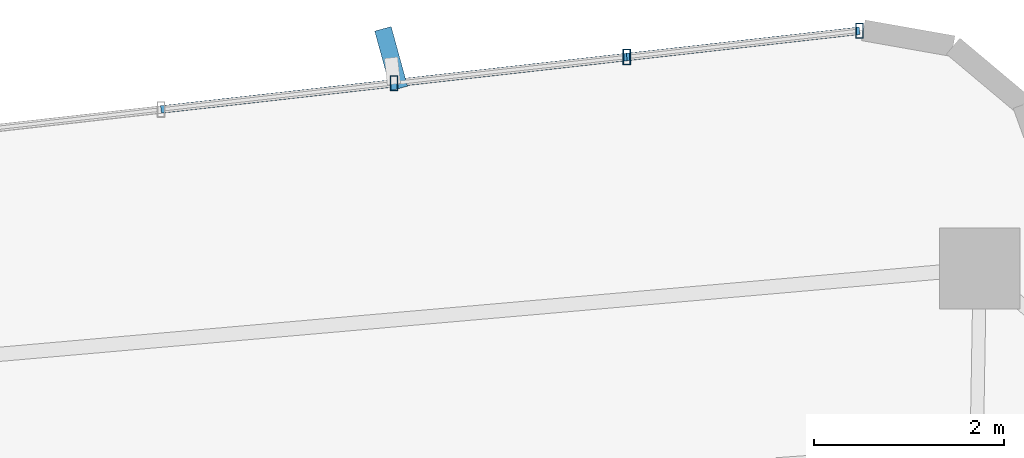
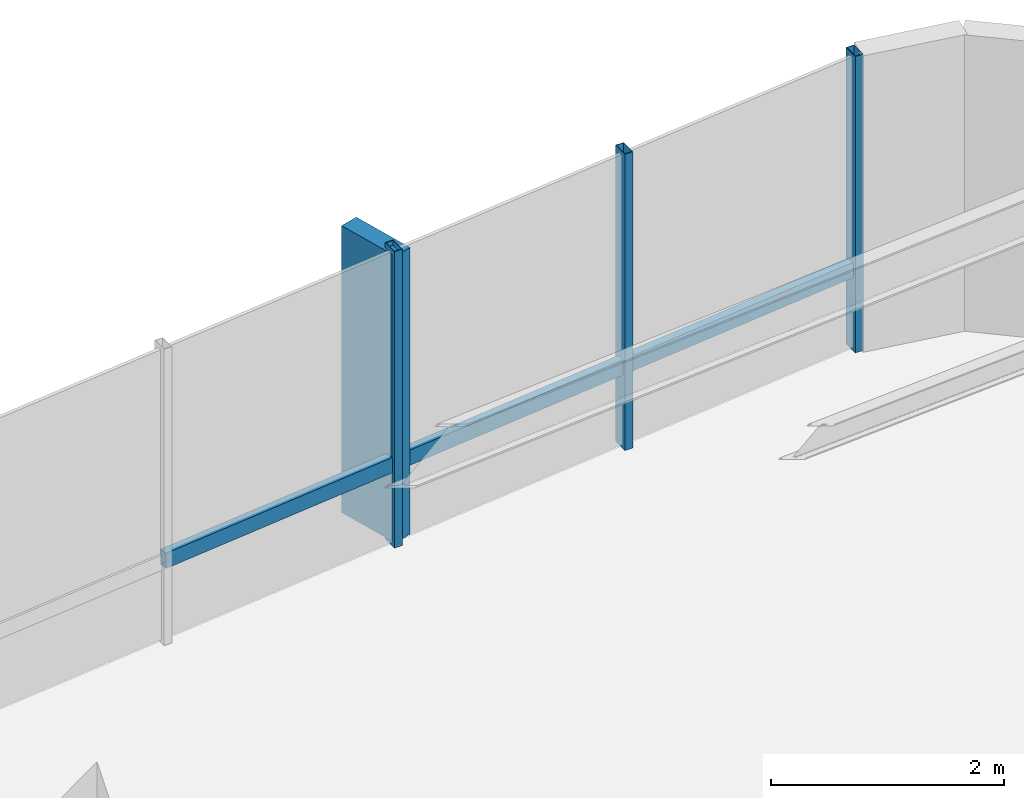
# One storey, part 18 of 24: 7 members, 1 element without a shape of its own.
"""IFC4 building model written with IfcOpenShell, lengths in metres."""

from ifc_helpers import new_model, si_unit, direction, frame, origin, origin_2d, place, context, subcontext, project, spatial, rectangle, hollow_rectangle, extrude, source, transform, mapped, material, material_profile, profile_set, type_object, element, aggregate, save


model = new_model("IFC4")

# Units and contexts
model_context = context("Model", 3, precision=1e-05, world=origin(), true_north=direction((0.0, 1.0)))
body_context = subcontext(model_context, "Body", "Model", "MODEL_VIEW")
ifc_project = project(units=[si_unit("LENGTHUNIT", "METRE"), si_unit("AREAUNIT", "SQUARE_METRE"), si_unit("VOLUMEUNIT", "CUBIC_METRE"), si_unit("PLANEANGLEUNIT", "RADIAN"), si_unit("MASSUNIT", "GRAM", prefix="KILO")], contexts=[model_context])

# Site, building, storey
site_placement = place(None, origin())
site = spatial("IfcSite", under=ifc_project, at=site_placement, CompositionType="ELEMENT")
building_placement = place(site_placement, origin())
building = spatial("IfcBuilding", under=site, at=building_placement, Name="Sahyath Konkavel Grand Hotel", CompositionType="ELEMENT")
storey_placement = place(building_placement, frame((0.0, 0.0, 147.25)))
storey = spatial("IfcBuildingStorey", under=building, at=storey_placement, Name="L40", CompositionType="ELEMENT", Elevation=147.25)

# Curtain wall, members
ifc_material_1 = material(Name="Anodised Bronze Aluminium & Low-E Glazing", Category="aluminium")
curtain_wall_type = type_object("IfcCurtainWallType", Name="CW-ZONE3", PredefinedType="NOTDEFINED", material=ifc_material_1)
curtain_wall_placement = place(storey_placement, origin())
curtain_wall = element("IfcCurtainWall", 1, at=curtain_wall_placement, inside=storey, type_object=curtain_wall_type, Name="L40 Unitised Curtain Wall F12", PredefinedType="NOTDEFINED")
ifc_material_2 = material(Name="Warm Buff Sandstone Cladding on Concrete C50/60", Category="masonry")
ifc_material_profile_1 = material_profile(ifc_material_2, rectangle(XDim=0.179931640625, YDim=0.64990234375, at=origin_2d()), Name="FIN 180x650")
ifc_profile_set_1 = profile_set([ifc_material_profile_1], Name="Warm Buff Sandstone Cladding on Concrete C50/60")
member_type_1 = type_object("IfcMemberType", Name="FIN-SANDSTONE-650", PredefinedType="MULLION", material=ifc_profile_set_1)
shared_shape_1 = source(origin(), body_context, "Body", "SweptSolid", [
    extrude(rectangle(XDim=0.179931640625, YDim=0.64990234375, at=origin_2d()), origin(), (0.0, 0.0, 1.0), 3.010009765625),
])
member_1_placement = place(storey_placement, frame((-2.248291015625, 20.3173828125, 0.050048828125), z_axis=(0.0, 0.0, 1.0), x_axis=(0.964326778534, 0.264714684522, 0.0)))
member_1 = element("IfcMember", 2, at=member_1_placement, type_object=member_type_1, Name="L40 Sandstone Vertical Solar Fin FIN F12-2", PredefinedType="MULLION", context=body_context, shape_type="MappedRepresentation", body=[
    mapped(shared_shape_1, transform((0.0, 0.0, 0.0), scale=1.0)),
])
ifc_material_3 = material(Name="Anodised Bronze Aluminium", Category="aluminium")
ifc_material_profile_2 = material_profile(ifc_material_3, hollow_rectangle(XDim=0.080078125, YDim=0.159912109375, WallThickness=0.006103515625, at=origin_2d()), Name="RHS 160x80x6")
ifc_profile_set_2 = profile_set([ifc_material_profile_2], Name="Anodised Bronze Aluminium")
member_type_2 = type_object("IfcMemberType", Name="CW-MUL-160", PredefinedType="MULLION", material=ifc_profile_set_2)
shared_shape_2 = source(origin(), body_context, "Body", "SweptSolid", [
    extrude(hollow_rectangle(XDim=0.080078125, YDim=0.159912109375, WallThickness=0.006103515625, at=origin_2d()), origin(), (0.0, 0.0, 1.0), 3.110107421875),
])
member_2_placement = place(storey_placement, frame((2.673828125, 20.610595703125, 0.0), z_axis=(0.0, 0.0, 1.0), x_axis=(1.0, 0.0, 0.0)))
member_2 = element("IfcMember", 3, at=member_2_placement, type_object=member_type_2, Name="L40 Curtain Wall Mullion F12-0", PredefinedType="MULLION", context=body_context, shape_type="MappedRepresentation", body=[
    mapped(shared_shape_2, transform((0.0, 0.0, 0.0), scale=1.0)),
])
member_3_placement = place(storey_placement, frame((0.227294921875, 20.334716796875, 0.0), z_axis=(0.0, 0.0, 1.0), x_axis=(1.0, 0.0, 0.0)))
member_3 = element("IfcMember", 4, at=member_3_placement, type_object=member_type_2, Name="L40 Curtain Wall Mullion F12-1", PredefinedType="MULLION", context=body_context, shape_type="MappedRepresentation", body=[
    mapped(shared_shape_2, transform((0.0, 0.0, 0.0), scale=1.0)),
])
member_4_placement = place(storey_placement, frame((-2.21923828125, 20.05908203125, 0.0), z_axis=(0.0, 0.0, 1.0), x_axis=(1.0, 0.0, 0.0)))
member_4 = element("IfcMember", 5, at=member_4_placement, type_object=member_type_2, Name="L40 Curtain Wall Mullion F12-2", PredefinedType="MULLION", context=body_context, shape_type="MappedRepresentation", body=[
    mapped(shared_shape_2, transform((0.0, 0.0, 0.0), scale=1.0)),
])
ifc_material_profile_3 = material_profile(ifc_material_3, hollow_rectangle(XDim=0.080078125, YDim=0.159912109375, WallThickness=0.006103515625, at=origin_2d()), Name="RHS 160x80x6")
ifc_profile_set_3 = profile_set([ifc_material_profile_3], Name="Anodised Bronze Aluminium")
member_type_3 = type_object("IfcMemberType", Name="CW-TRN-160", PredefinedType="USERDEFINED", material=ifc_profile_set_3)
shared_shape_3 = source(origin(), body_context, "Body", "SweptSolid", [
    extrude(hollow_rectangle(XDim=0.080078125, YDim=0.159912109375, WallThickness=0.006103515625, at=origin_2d()), origin(), (0.0, 0.0, 1.0), 2.462158203125),
])
member_5_placement = place(storey_placement, frame((2.673828125, 20.610595703125, 0.85009765625), z_axis=(-0.99370222711, -0.112053040279, 0.0), x_axis=(0.112053040279, -0.99370222711, 0.0)))
member_5 = element("IfcMember", 6, at=member_5_placement, type_object=member_type_3, Name="L40 Curtain Wall Transom F12-0-spandrel", ObjectType="TRANSOM", PredefinedType="USERDEFINED", context=body_context, shape_type="MappedRepresentation", body=[
    mapped(shared_shape_3, transform((0.0, 0.0, 0.0), scale=1.0)),
])
member_6_placement = place(storey_placement, frame((-2.21923828125, 20.05908203125, 0.85009765625), z_axis=(-0.99370222711, -0.112053040279, 0.0), x_axis=(0.112053040279, -0.99370222711, 0.0)))
member_6 = element("IfcMember", 7, at=member_6_placement, type_object=member_type_3, Name="L40 Curtain Wall Transom F12-2-spandrel", ObjectType="TRANSOM", PredefinedType="USERDEFINED", context=body_context, shape_type="MappedRepresentation", body=[
    mapped(shared_shape_3, transform((0.0, 0.0, 0.0), scale=1.0)),
])
shared_shape_4 = source(origin(), body_context, "Body", "SweptSolid", [
    extrude(hollow_rectangle(XDim=0.080078125, YDim=0.159912109375, WallThickness=0.006103515625, at=origin_2d()), origin(), (0.0, 0.0, 1.0), 2.4619140625),
])
member_7_placement = place(storey_placement, frame((0.227294921875, 20.334716796875, 0.85009765625), z_axis=(-0.993713263833, -0.111955121731, 0.0), x_axis=(0.111955121731, -0.993713263833, 0.0)))
member_7 = element("IfcMember", 8, at=member_7_placement, type_object=member_type_3, Name="L40 Curtain Wall Transom F12-1-spandrel", ObjectType="TRANSOM", PredefinedType="USERDEFINED", context=body_context, shape_type="MappedRepresentation", body=[
    mapped(shared_shape_4, transform((0.0, 0.0, 0.0), scale=1.0)),
])
aggregate(curtain_wall, [member_2, member_3, member_4, member_1, member_5, member_7, member_6])

save(model, "model.ifc")
